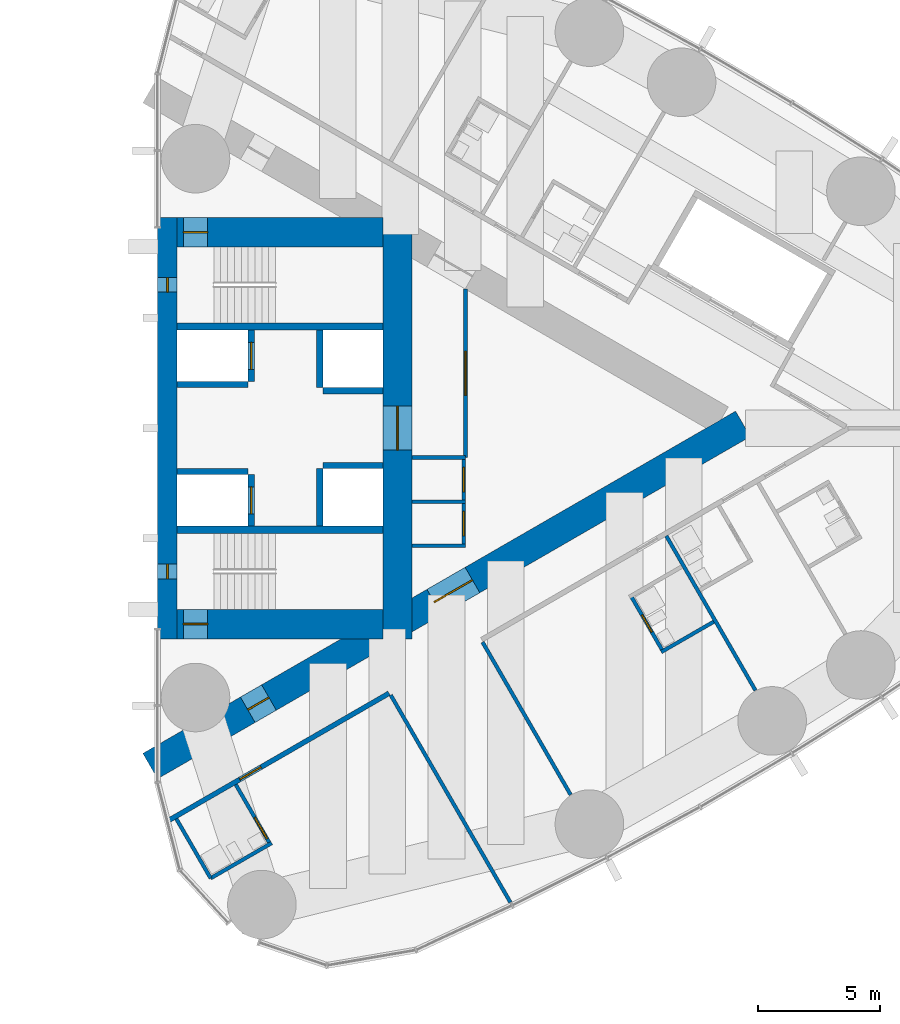
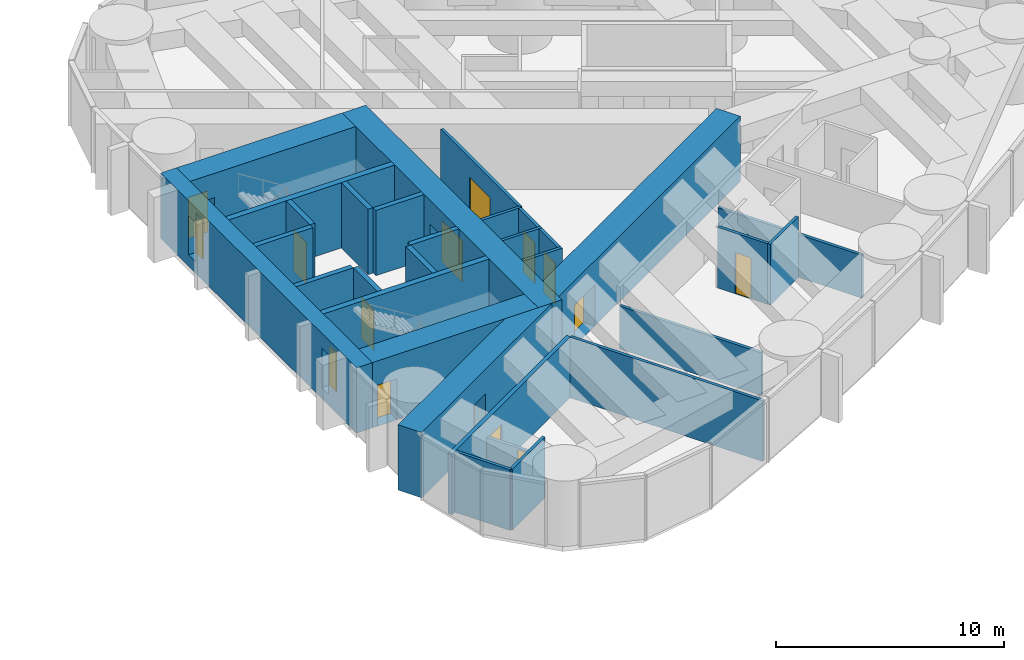
# One storey, part 14 of 18: 30 walls, 13 doors, 2 windows, 15 openings.
"""IFC4 building model written with IfcOpenShell, lengths in metres."""

from ifc_helpers import new_model, si_unit, direction, frame, frame_2d, origin, place, context, subcontext, project, spatial, rectangle, extrude, material, layer, layer_set, type_object, element, fill, save


model = new_model("IFC4")

# Units and contexts
model_context = context("Model", 3, precision=1e-05, world=origin(), true_north=direction((0.0, 1.0)))
body_context = subcontext(model_context, "Body", "Model", "MODEL_VIEW")
ifc_project = project(units=[si_unit("LENGTHUNIT", "METRE"), si_unit("AREAUNIT", "SQUARE_METRE"), si_unit("VOLUMEUNIT", "CUBIC_METRE"), si_unit("PLANEANGLEUNIT", "RADIAN"), si_unit("MASSUNIT", "GRAM", prefix="KILO")], contexts=[model_context])

# Site, building, storey
site_placement = place(None, origin())
site = spatial("IfcSite", under=ifc_project, at=site_placement, CompositionType="ELEMENT")
building_placement = place(site_placement, origin())
building = spatial("IfcBuilding", under=site, at=building_placement, Name="Lancet Gate Hotel", CompositionType="ELEMENT")
storey_placement = place(building_placement, frame((0.0, 0.0, 166.800048828125)))
storey = spatial("IfcBuildingStorey", under=building, at=storey_placement, Name="L44", CompositionType="ELEMENT", Elevation=166.800048828125)

# Wall
ifc_material_1 = material(Name="Moisture resistant board partition")
ifc_layer_1 = layer(ifc_material_1, 0.14990234375)
ifc_layer_set_1 = layer_set([ifc_layer_1], Name="Bathroom wall 150")
wall_type_1 = type_object("IfcWallType", Name="Bathroom wall 150", PredefinedType="PARTITIONING", material=ifc_layer_set_1)
wall_1_placement = place(storey_placement, frame((29.669189453125, -18.378662109375, 0.0), z_axis=(0.0, 0.0, 1.0), x_axis=(0.866039941686, 0.499974818771, 0.0)))
element("IfcWall", 1, at=wall_1_placement, inside=storey, type_object=wall_type_1, Name="T2 bathroom wall 150 L44", PredefinedType="PARTITIONING", context=body_context, shape_type="SweptSolid", body=[
    extrude(rectangle(XDim=2.875244140625, YDim=0.14990234375, at=frame_2d((1.4375, 0.0))), origin(), (0.0, 0.0, 1.0), 3.25),
])

# Wall, opening, door
wall_2_placement = place(storey_placement, frame((30.694091796875, -14.553955078125, 0.0), z_axis=(0.0, 0.0, 1.0), x_axis=(0.500049511043, -0.865996816683, 0.0)))
wall_2 = element("IfcWall", 2, at=wall_2_placement, inside=storey, type_object=wall_type_1, Name="T2 bathroom wall 150 L44", PredefinedType="PARTITIONING", context=body_context, shape_type="SweptSolid", body=[
    extrude(rectangle(XDim=2.800048828125, YDim=0.14990234375, at=frame_2d((1.39990234375, 0.0))), origin(), (0.0, 0.0, 1.0), 2.300048828125),
])
opening_1_placement = place(wall_2_placement, frame((1.550048828125, 0.0, 0.0)))
opening_1 = element("IfcOpeningElement", 3, at=opening_1_placement, cuts=wall_2, Name="Opening 4451-B", PredefinedType="OPENING", context=body_context, shape_type="SweptSolid", body=[
    extrude(rectangle(XDim=1.0, YDim=2.199951171875, at=frame_2d((0.5, 1.10009765625))), frame((0.0, 0.0849609375, 0.0), z_axis=(0.0, -1.0, 0.0), x_axis=(1.0, 0.0, 0.0)), (0.0, 0.0, 1.0), 0.169921875),
])
ifc_material_2 = material(Name="Timber door set", Category="wood")
door_type_1 = type_object("IfcDoorType", Name="Accessible en-suite door 1000", OperationType="SINGLE_SWING_RIGHT", PredefinedType="DOOR", material=ifc_material_2)
door_1_placement = place(opening_1_placement, origin())
door_1 = element("IfcDoor", 4, at=door_1_placement, inside=storey, type_object=door_type_1, Name="4451-B", OperationType="SINGLE_SWING_RIGHT", OverallHeight=2.199951171875, OverallWidth=1.0, PredefinedType="DOOR", context=body_context, shape_type="SweptSolid", body=[
    extrude(rectangle(XDim=1.0, YDim=2.199951171875, at=frame_2d((0.5, 1.10009765625))), frame((0.0, 0.02490234375, 0.0), z_axis=(0.0, -1.0, 0.0), x_axis=(1.0, 0.0, 0.0)), (0.0, 0.0, 1.0), 0.050048828125),
])
fill(opening_1, door_1)

# Walls
wall_3_placement = place(storey_placement, frame((28.269287109375, -15.953857421875, 0.0), z_axis=(0.0, 0.0, 1.0), x_axis=(0.49998411664, -0.866034573852, 0.0)))
element("IfcWall", 5, at=wall_3_placement, inside=storey, type_object=wall_type_1, Name="T2 bathroom wall 150 L44", PredefinedType="PARTITIONING", context=body_context, shape_type="SweptSolid", body=[
    extrude(rectangle(XDim=2.7998046875, YDim=0.14990234375, at=frame_2d((1.39990234375, 0.0))), origin(), (0.0, 0.0, 1.0), 3.25),
])
wall_4_placement = place(storey_placement, frame((48.06640625, -9.142822265625, 0.0), z_axis=(0.0, 0.0, 1.0), x_axis=(0.866006523861, 0.500032699561, 0.0)))
element("IfcWall", 6, at=wall_4_placement, inside=storey, type_object=wall_type_1, Name="T2 bathroom wall 150 L44", PredefinedType="PARTITIONING", context=body_context, shape_type="SweptSolid", body=[
    extrude(rectangle(XDim=2.474853515625, YDim=0.14990234375, at=frame_2d((1.2373046875, 0.0))), origin(), (0.0, 0.0, 1.0), 3.25),
])

# Wall, opening, door
wall_5_placement = place(storey_placement, frame((46.831298828125, -6.853759765625, 0.0), z_axis=(0.0, 0.0, 1.0), x_axis=(0.500006934395, -0.866021400173, 0.0)))
wall_5 = element("IfcWall", 7, at=wall_5_placement, inside=storey, type_object=wall_type_1, Name="T2 bathroom wall 150 L44", PredefinedType="PARTITIONING", context=body_context, shape_type="SweptSolid", body=[
    extrude(rectangle(XDim=2.60009765625, YDim=0.14990234375, at=frame_2d((1.300048828125, 0.0))), origin(), (0.0, 0.0, 1.0), 3.25),
])
opening_2_placement = place(wall_5_placement, frame((0.89990234375, 0.0, 0.0)))
opening_2 = element("IfcOpeningElement", 8, at=opening_2_placement, cuts=wall_5, Name="Opening 4454-B", PredefinedType="OPENING", context=body_context, shape_type="SweptSolid", body=[
    extrude(rectangle(XDim=0.800048828125, YDim=2.199951171875, at=frame_2d((0.39990234375, 1.10009765625))), frame((0.0, 0.0849609375, 0.0), z_axis=(0.0, -1.0, 0.0), x_axis=(1.0, 0.0, 0.0)), (0.0, 0.0, 1.0), 0.169921875),
])
ifc_material_3 = material(Name="Timber door set", Category="wood")
door_type_2 = type_object("IfcDoorType", Name="Bathroom door 800", OperationType="SINGLE_SWING_RIGHT", PredefinedType="DOOR", material=ifc_material_3)
door_2_placement = place(opening_2_placement, origin())
door_2 = element("IfcDoor", 9, at=door_2_placement, inside=storey, type_object=door_type_2, Name="4454-B", OperationType="SINGLE_SWING_RIGHT", OverallHeight=2.199951171875, OverallWidth=0.800048828125, PredefinedType="DOOR", context=body_context, shape_type="SweptSolid", body=[
    extrude(rectangle(XDim=0.800048828125, YDim=2.199951171875, at=frame_2d((0.39990234375, 1.10009765625))), frame((0.0, 0.02490234375, 0.0), z_axis=(0.0, -1.0, 0.0), x_axis=(1.0, 0.0, 0.0)), (0.0, 0.0, 1.0), 0.050048828125),
])
fill(opening_2, door_2)

# Wall, openings, doors
ifc_material_4 = material(Name="Concrete C70/85", Category="concrete")
ifc_layer_2 = layer(ifc_material_4, 1.199951171875)
ifc_layer_set_2 = layer_set([ifc_layer_2], Name="Buttress wall 1200")
wall_type_2 = type_object("IfcWallType", Name="Buttress wall 1200", PredefinedType="SHEAR", material=ifc_layer_set_2)
wall_6_placement = place(storey_placement, frame((27.199951171875, -13.800048828125, 0.0), z_axis=(0.0, 0.0, 1.0), x_axis=(0.866027159892, 0.499996958321, 0.0)))
wall_6 = element("IfcWall", 10, at=wall_6_placement, inside=storey, type_object=wall_type_2, Name="T2 buttress wall S L44", PredefinedType="SHEAR", context=body_context, shape_type="SweptSolid", body=[
    extrude(rectangle(XDim=27.946533203125, YDim=1.199951171875, at=frame_2d((13.97314453125, 0.0))), origin(), (0.0, 0.0, 1.0), 3.5),
])
opening_3_placement = place(wall_6_placement, frame((4.60009765625, 0.0, 0.0)))
opening_3 = element("IfcOpeningElement", 11, at=opening_3_placement, cuts=wall_6, Name="Opening T2-L44-LS", PredefinedType="OPENING", context=body_context, shape_type="SweptSolid", body=[
    extrude(rectangle(XDim=1.0, YDim=2.199951171875, at=frame_2d((0.5, 1.10009765625))), frame((0.0, 0.60986328125, 0.0), z_axis=(0.0, -1.0, 0.0), x_axis=(1.0, 0.0, 0.0)), (0.0, 0.0, 1.0), 1.219970703125),
])
opening_4_placement = place(wall_6_placement, frame((13.39453125, 0.0, 0.0)))
opening_4 = element("IfcOpeningElement", 12, at=opening_4_placement, cuts=wall_6, Name="Opening T2-L44-LHS", PredefinedType="OPENING", context=body_context, shape_type="SweptSolid", body=[
    extrude(rectangle(XDim=1.800048828125, YDim=2.199951171875, at=frame_2d((0.89990234375, 1.10009765625))), frame((0.0, 0.60986328125, 0.0), z_axis=(0.0, -1.0, 0.0), x_axis=(1.0, 0.0, 0.0)), (0.0, 0.0, 1.0), 1.219970703125),
])
ifc_material_5 = material(Name="Timber door set", Category="wood")
door_type_3 = type_object("IfcDoorType", Name="Lobby double door 1800", OperationType="DOUBLE_DOOR_SINGLE_SWING", PredefinedType="DOOR", material=ifc_material_5)
door_3_placement = place(opening_4_placement, origin())
door_3 = element("IfcDoor", 13, at=door_3_placement, inside=storey, type_object=door_type_3, Name="T2-L44-LHS", OperationType="DOUBLE_DOOR_SINGLE_SWING", OverallHeight=2.199951171875, OverallWidth=1.800048828125, PredefinedType="DOOR", context=body_context, shape_type="SweptSolid", body=[
    extrude(rectangle(XDim=1.800048828125, YDim=2.199951171875, at=frame_2d((0.89990234375, 1.10009765625))), frame((0.0, 0.02490234375, 0.0), z_axis=(0.0, -1.0, 0.0), x_axis=(1.0, 0.0, 0.0)), (0.0, 0.0, 1.0), 0.050048828125),
])
fill(opening_4, door_3)
ifc_material_6 = material(Name="Timber door set", Category="wood")
door_type_4 = type_object("IfcDoorType", Name="Stair lobby door 1000", OperationType="SINGLE_SWING_LEFT", PredefinedType="DOOR", material=ifc_material_6)
door_4_placement = place(opening_3_placement, origin())
door_4 = element("IfcDoor", 14, at=door_4_placement, inside=storey, type_object=door_type_4, Name="T2-L44-LS", OperationType="SINGLE_SWING_LEFT", OverallHeight=2.199951171875, OverallWidth=1.0, PredefinedType="DOOR", context=body_context, shape_type="SweptSolid", body=[
    extrude(rectangle(XDim=1.0, YDim=2.199951171875, at=frame_2d((0.5, 1.10009765625))), frame((0.0, 0.02490234375, 0.0), z_axis=(0.0, -1.0, 0.0), x_axis=(1.0, 0.0, 0.0)), (0.0, 0.0, 1.0), 0.050048828125),
])
fill(opening_3, door_4)

# Wall, opening, door
ifc_material_7 = material(Name="Concrete C70/85", Category="concrete")
ifc_layer_3 = layer(ifc_material_7, 1.199951171875)
ifc_layer_set_3 = layer_set([ifc_layer_3], Name="Core wall 1200")
wall_type_3 = type_object("IfcWallType", Name="Core wall 1200", PredefinedType="SHEAR", material=ifc_layer_set_3)
wall_7_placement = place(storey_placement, frame((37.300048828125, -8.60009765625, 0.0), z_axis=(0.0, 0.0, 1.0), x_axis=(0.0, 1.0, 0.0)))
wall_7 = element("IfcWall", 15, at=wall_7_placement, inside=storey, type_object=wall_type_3, Name="T2 core wall back L44", PredefinedType="SHEAR", context=body_context, shape_type="SweptSolid", body=[
    extrude(rectangle(XDim=17.2001953125, YDim=1.199951171875, at=frame_2d((8.60009765625, 0.0))), origin(), (0.0, 0.0, 1.0), 3.5),
])
opening_5_placement = place(wall_7_placement, frame((7.699951171875, 0.0, 0.0)))
opening_5 = element("IfcOpeningElement", 16, at=opening_5_placement, cuts=wall_7, Name="Opening T2-L44-LL", PredefinedType="OPENING", context=body_context, shape_type="SweptSolid", body=[
    extrude(rectangle(XDim=1.800048828125, YDim=2.199951171875, at=frame_2d((0.89990234375, 1.10009765625))), frame((0.0, 0.60986328125, 0.0), z_axis=(0.0, -1.0, 0.0), x_axis=(1.0, 0.0, 0.0)), (0.0, 0.0, 1.0), 1.219970703125),
])
door_5_placement = place(opening_5_placement, origin())
door_5 = element("IfcDoor", 17, at=door_5_placement, inside=storey, type_object=door_type_3, Name="T2-L44-LL", OperationType="DOUBLE_DOOR_SINGLE_SWING", OverallHeight=2.199951171875, OverallWidth=1.800048828125, PredefinedType="DOOR", context=body_context, shape_type="SweptSolid", body=[
    extrude(rectangle(XDim=1.800048828125, YDim=2.199951171875, at=frame_2d((0.89990234375, 1.10009765625))), frame((0.0, 0.02490234375, 0.0), z_axis=(0.0, -1.0, 0.0), x_axis=(1.0, 0.0, 0.0)), (0.0, 0.0, 1.0), 0.050048828125),
])
fill(opening_5, door_5)

wall_8_placement = place(storey_placement, frame((28.300048828125, -8.0, 0.0), z_axis=(0.0, 0.0, 1.0), x_axis=(1.0, 0.0, 0.0)))
wall_8 = element("IfcWall", 18, at=wall_8_placement, inside=storey, type_object=wall_type_3, Name="T2 core wall side-S L44", PredefinedType="SHEAR", context=body_context, shape_type="SweptSolid", body=[
    extrude(rectangle(XDim=8.39990234375, YDim=1.199951171875, at=frame_2d((4.199951171875, 0.0))), origin(), (0.0, 0.0, 1.0), 3.5),
])
opening_6_placement = place(wall_8_placement, frame((0.25, 0.0, 0.0)))
opening_6 = element("IfcOpeningElement", 19, at=opening_6_placement, cuts=wall_8, Name="Opening T2-L44-ST1", PredefinedType="OPENING", context=body_context, shape_type="SweptSolid", body=[
    extrude(rectangle(XDim=1.0, YDim=2.199951171875, at=frame_2d((0.5, 1.10009765625))), frame((0.0, 0.60986328125, 0.0), z_axis=(0.0, -1.0, 0.0), x_axis=(1.0, 0.0, 0.0)), (0.0, 0.0, 1.0), 1.219970703125),
])
ifc_material_8 = material(Name="Timber door set", Category="wood")
door_type_5 = type_object("IfcDoorType", Name="Stair door 1000", OperationType="SINGLE_SWING_RIGHT", PredefinedType="DOOR", material=ifc_material_8)
door_6_placement = place(opening_6_placement, origin())
door_6 = element("IfcDoor", 20, at=door_6_placement, inside=storey, type_object=door_type_5, Name="T2-L44-ST1", OperationType="SINGLE_SWING_RIGHT", OverallHeight=2.199951171875, OverallWidth=1.0, PredefinedType="DOOR", context=body_context, shape_type="SweptSolid", body=[
    extrude(rectangle(XDim=1.0, YDim=2.199951171875, at=frame_2d((0.5, 1.10009765625))), frame((0.0, 0.02490234375, 0.0), z_axis=(0.0, -1.0, 0.0), x_axis=(1.0, 0.0, 0.0)), (0.0, 0.0, 1.0), 0.050048828125),
])
fill(opening_6, door_6)

wall_9_placement = place(storey_placement, frame((28.300048828125, 8.0, 0.0), z_axis=(0.0, 0.0, 1.0), x_axis=(1.0, 0.0, 0.0)))
wall_9 = element("IfcWall", 21, at=wall_9_placement, inside=storey, type_object=wall_type_3, Name="T2 core wall side-N L44", PredefinedType="SHEAR", context=body_context, shape_type="SweptSolid", body=[
    extrude(rectangle(XDim=8.39990234375, YDim=1.199951171875, at=frame_2d((4.199951171875, 0.0))), origin(), (0.0, 0.0, 1.0), 3.5),
])
opening_7_placement = place(wall_9_placement, frame((0.25, 0.0, 0.0)))
opening_7 = element("IfcOpeningElement", 22, at=opening_7_placement, cuts=wall_9, Name="Opening T2-L44-ST2", PredefinedType="OPENING", context=body_context, shape_type="SweptSolid", body=[
    extrude(rectangle(XDim=1.0, YDim=2.199951171875, at=frame_2d((0.5, 1.10009765625))), frame((0.0, 0.60986328125, 0.0), z_axis=(0.0, -1.0, 0.0), x_axis=(1.0, 0.0, 0.0)), (0.0, 0.0, 1.0), 1.219970703125),
])
door_7_placement = place(opening_7_placement, origin())
door_7 = element("IfcDoor", 23, at=door_7_placement, inside=storey, type_object=door_type_5, Name="T2-L44-ST2", OperationType="SINGLE_SWING_RIGHT", OverallHeight=2.199951171875, OverallWidth=1.0, PredefinedType="DOOR", context=body_context, shape_type="SweptSolid", body=[
    extrude(rectangle(XDim=1.0, YDim=2.199951171875, at=frame_2d((0.5, 1.10009765625))), frame((0.0, 0.02490234375, 0.0), z_axis=(0.0, -1.0, 0.0), x_axis=(1.0, 0.0, 0.0)), (0.0, 0.0, 1.0), 0.050048828125),
])
fill(opening_7, door_7)

# Wall, openings, windows
ifc_material_9 = material(Name="Concrete C70/85", Category="concrete")
ifc_layer_4 = layer(ifc_material_9, 0.800048828125)
ifc_layer_set_4 = layer_set([ifc_layer_4], Name="Core wall 800")
wall_type_4 = type_object("IfcWallType", Name="Core wall 800", PredefinedType="SHEAR", material=ifc_layer_set_4)
wall_10_placement = place(storey_placement, frame((27.89990234375, -8.60009765625, 0.0), z_axis=(0.0, 0.0, 1.0), x_axis=(0.0, 1.0, 0.0)))
wall_10 = element("IfcWall", 24, at=wall_10_placement, inside=storey, type_object=wall_type_4, Name="T2 core wall front L44", PredefinedType="SHEAR", context=body_context, shape_type="SweptSolid", body=[
    extrude(rectangle(XDim=17.2001953125, YDim=0.800048828125, at=frame_2d((8.60009765625, 0.0))), origin(), (0.0, 0.0, 1.0), 3.5),
])
opening_8_placement = place(wall_10_placement, frame((2.449951171875, 0.0, 0.60009765625)))
opening_8 = element("IfcOpeningElement", 25, at=opening_8_placement, cuts=wall_10, Name="Opening LW1", PredefinedType="OPENING", context=body_context, shape_type="SweptSolid", body=[
    extrude(rectangle(XDim=0.60009765625, YDim=2.10009765625, at=frame_2d((0.300048828125, 1.050048828125))), frame((0.0, 0.409912109375, 0.0), z_axis=(0.0, -1.0, 0.0), x_axis=(1.0, 0.0, 0.0)), (0.0, 0.0, 1.0), 0.820068359375),
])
opening_9_placement = place(wall_10_placement, frame((14.14990234375, 0.0, 0.60009765625)))
opening_9 = element("IfcOpeningElement", 26, at=opening_9_placement, cuts=wall_10, Name="Opening LW1", PredefinedType="OPENING", context=body_context, shape_type="SweptSolid", body=[
    extrude(rectangle(XDim=0.60009765625, YDim=2.10009765625, at=frame_2d((0.300048828125, 1.050048828125))), frame((0.0, 0.409912109375, 0.0), z_axis=(0.0, -1.0, 0.0), x_axis=(1.0, 0.0, 0.0)), (0.0, 0.0, 1.0), 0.820068359375),
])
ifc_material_10 = material(Name="Fire-resisting glazed steel window", Category="steel")
window_type = type_object("IfcWindowType", Name="Lancet window 600x2100", PartitioningType="SINGLE_PANEL", PredefinedType="WINDOW", material=ifc_material_10)
window_1_placement = place(opening_8_placement, origin())
window_1 = element("IfcWindow", 27, at=window_1_placement, inside=storey, type_object=window_type, Name="T2 stair window S L44", OverallHeight=2.10009765625, OverallWidth=0.60009765625, PartitioningType="SINGLE_PANEL", PredefinedType="WINDOW", context=body_context, shape_type="SweptSolid", body=[
    extrude(rectangle(XDim=0.60009765625, YDim=2.10009765625, at=frame_2d((0.300048828125, 1.050048828125))), frame((0.0, 0.030029296875, 0.0), z_axis=(0.0, -1.0, 0.0), x_axis=(1.0, 0.0, 0.0)), (0.0, 0.0, 1.0), 0.06005859375),
])
fill(opening_8, window_1)
window_2_placement = place(opening_9_placement, origin())
window_2 = element("IfcWindow", 28, at=window_2_placement, inside=storey, type_object=window_type, Name="T2 stair window N L44", OverallHeight=2.10009765625, OverallWidth=0.60009765625, PartitioningType="SINGLE_PANEL", PredefinedType="WINDOW", context=body_context, shape_type="SweptSolid", body=[
    extrude(rectangle(XDim=0.60009765625, YDim=2.10009765625, at=frame_2d((0.300048828125, 1.050048828125))), frame((0.0, 0.030029296875, 0.0), z_axis=(0.0, -1.0, 0.0), x_axis=(1.0, 0.0, 0.0)), (0.0, 0.0, 1.0), 0.06005859375),
])
fill(opening_9, window_2)

# Wall, opening, door
ifc_material_11 = material(Name="Gypsum board partition")
ifc_layer_5 = layer(ifc_material_11, 0.199951171875)
ifc_layer_set_5 = layer_set([ifc_layer_5], Name="Corridor wall 200")
wall_type_5 = type_object("IfcWallType", Name="Corridor wall 200", PredefinedType="PARTITIONING", material=ifc_layer_set_5)
wall_11_placement = place(storey_placement, frame((27.95947265625, -16.017333984375, 0.0), z_axis=(0.0, 0.0, 1.0), x_axis=(0.866026201739, 0.499998617899, 0.0)))
wall_11 = element("IfcWall", 29, at=wall_11_placement, inside=storey, type_object=wall_type_5, Name="T2 corridor wall 200 L44", PredefinedType="PARTITIONING", context=body_context, shape_type="SweptSolid", body=[
    extrude(rectangle(XDim=10.3818359375, YDim=0.199951171875, at=frame_2d((5.19091796875, 0.0))), origin(), (0.0, 0.0, 1.0), 3.25),
])
opening_10_placement = place(wall_11_placement, frame((3.35009765625, 0.0, 0.0)))
opening_10 = element("IfcOpeningElement", 30, at=opening_10_placement, cuts=wall_11, Name="Opening 4451-E", PredefinedType="OPENING", context=body_context, shape_type="SweptSolid", body=[
    extrude(rectangle(XDim=1.0, YDim=2.199951171875, at=frame_2d((0.5, 1.10009765625))), frame((0.0, 0.10986328125, 0.0), z_axis=(0.0, -1.0, 0.0), x_axis=(1.0, 0.0, 0.0)), (0.0, 0.0, 1.0), 0.219970703125),
])
ifc_material_12 = material(Name="Timber door set", Category="wood")
door_type_6 = type_object("IfcDoorType", Name="Accessible guest room door 1000", OperationType="SINGLE_SWING_LEFT", PredefinedType="DOOR", material=ifc_material_12)
door_8_placement = place(opening_10_placement, origin())
door_8 = element("IfcDoor", 31, at=door_8_placement, inside=storey, type_object=door_type_6, Name="4451-E", OperationType="SINGLE_SWING_LEFT", OverallHeight=2.199951171875, OverallWidth=1.0, PredefinedType="DOOR", context=body_context, shape_type="SweptSolid", body=[
    extrude(rectangle(XDim=1.0, YDim=2.199951171875, at=frame_2d((0.5, 1.10009765625))), frame((0.0, 0.02490234375, 0.0), z_axis=(0.0, -1.0, 0.0), x_axis=(1.0, 0.0, 0.0)), (0.0, 0.0, 1.0), 0.050048828125),
])
fill(opening_10, door_8)

ifc_material_13 = material(Name="Concrete C50/60", Category="concrete")
ifc_layer_6 = layer(ifc_material_13, 0.25)
ifc_layer_set_6 = layer_set([ifc_layer_6], Name="Lift shaft wall 250")
wall_type_6 = type_object("IfcWallType", Name="Lift shaft wall 250", PredefinedType="SHEAR", material=ifc_layer_set_6)
wall_12_placement = place(storey_placement, frame((31.324951171875, -4.0, 0.0), z_axis=(0.0, 0.0, 1.0), x_axis=(0.0, 1.0, 0.0)))
wall_12 = element("IfcWall", 32, at=wall_12_placement, inside=storey, type_object=wall_type_6, Name="T2 core wall row1-S L44", PredefinedType="SHEAR", context=body_context, shape_type="SweptSolid", body=[
    extrude(rectangle(XDim=2.10009765625, YDim=0.25, at=frame_2d((1.050048828125, 0.0))), origin(), (0.0, 0.0, 1.0), 3.5),
])
opening_11_placement = place(wall_12_placement, frame((0.5, 0.0, 0.0)))
opening_11 = element("IfcOpeningElement", 33, at=opening_11_placement, cuts=wall_12, Name="Opening T2-SL1-L44", PredefinedType="OPENING", context=body_context, shape_type="SweptSolid", body=[
    extrude(rectangle(XDim=1.10009765625, YDim=2.199951171875, at=frame_2d((0.550048828125, 1.10009765625))), frame((0.0, 0.135009765625, 0.0), z_axis=(0.0, -1.0, 0.0), x_axis=(1.0, 0.0, 0.0)), (0.0, 0.0, 1.0), 0.27001953125),
])
ifc_material_14 = material(Name="Timber door set", Category="wood")
door_type_7 = type_object("IfcDoorType", Name="Service lift landing door 1100", OperationType="SLIDING_TO_LEFT", PredefinedType="USERDEFINED", material=ifc_material_14)
door_9_placement = place(opening_11_placement, origin())
door_9 = element("IfcDoor", 34, at=door_9_placement, inside=storey, type_object=door_type_7, Name="T2-SL1-L44", ObjectType="LIFT LANDING DOOR", OperationType="SLIDING_TO_LEFT", OverallHeight=2.199951171875, OverallWidth=1.10009765625, PredefinedType="USERDEFINED", context=body_context, shape_type="SweptSolid", body=[
    extrude(rectangle(XDim=1.10009765625, YDim=2.199951171875, at=frame_2d((0.550048828125, 1.10009765625))), frame((0.0, 0.02490234375, 0.0), z_axis=(0.0, -1.0, 0.0), x_axis=(1.0, 0.0, 0.0)), (0.0, 0.0, 1.0), 0.050048828125),
])
fill(opening_11, door_9)

# Walls
wall_13_placement = place(storey_placement, frame((34.125, -4.0, 0.0), z_axis=(0.0, 0.0, 1.0), x_axis=(0.0, 1.0, 0.0)))
element("IfcWall", 35, at=wall_13_placement, inside=storey, type_object=wall_type_6, Name="T2 core wall row2-S L44", PredefinedType="SHEAR", context=body_context, shape_type="SweptSolid", body=[
    extrude(rectangle(XDim=2.35009765625, YDim=0.25, at=frame_2d((1.175048828125, 0.0))), origin(), (0.0, 0.0, 1.0), 3.5),
])
wall_14_placement = place(storey_placement, frame((28.300048828125, -1.77490234375, 0.0), z_axis=(0.0, 0.0, 1.0), x_axis=(1.0, 0.0, 0.0)))
element("IfcWall", 36, at=wall_14_placement, inside=storey, type_object=wall_type_6, Name="T2 core wall pass1-S L44", PredefinedType="SHEAR", context=body_context, shape_type="SweptSolid", body=[
    extrude(rectangle(XDim=2.89990234375, YDim=0.25, at=frame_2d((1.449951171875, 0.0))), origin(), (0.0, 0.0, 1.0), 3.5),
])
wall_15_placement = place(storey_placement, frame((34.25, -1.52490234375, 0.0), z_axis=(0.0, 0.0, 1.0), x_axis=(1.0, 0.0, 0.0)))
element("IfcWall", 37, at=wall_15_placement, inside=storey, type_object=wall_type_6, Name="T2 core wall pass2-S L44", PredefinedType="SHEAR", context=body_context, shape_type="SweptSolid", body=[
    extrude(rectangle(XDim=2.449951171875, YDim=0.25, at=frame_2d((1.22509765625, 0.0))), origin(), (0.0, 0.0, 1.0), 3.5),
])

# Wall, opening, door
wall_16_placement = place(storey_placement, frame((31.324951171875, 1.89990234375, 0.0), z_axis=(0.0, 0.0, 1.0), x_axis=(0.0, 1.0, 0.0)))
wall_16 = element("IfcWall", 38, at=wall_16_placement, inside=storey, type_object=wall_type_6, Name="T2 core wall row1-N L44", PredefinedType="SHEAR", context=body_context, shape_type="SweptSolid", body=[
    extrude(rectangle(XDim=2.10009765625, YDim=0.25, at=frame_2d((1.050048828125, 0.0))), origin(), (0.0, 0.0, 1.0), 3.5),
])
opening_12_placement = place(wall_16_placement, frame((0.5, 0.0, 0.0)))
opening_12 = element("IfcOpeningElement", 39, at=opening_12_placement, cuts=wall_16, Name="Opening T2-FL2-L44", PredefinedType="OPENING", context=body_context, shape_type="SweptSolid", body=[
    extrude(rectangle(XDim=1.10009765625, YDim=2.199951171875, at=frame_2d((0.550048828125, 1.10009765625))), frame((0.0, 0.135009765625, 0.0), z_axis=(0.0, -1.0, 0.0), x_axis=(1.0, 0.0, 0.0)), (0.0, 0.0, 1.0), 0.27001953125),
])
ifc_material_15 = material(Name="Steel door set", Category="steel")
door_type_8 = type_object("IfcDoorType", Name="Firefighting lift landing door 1100", OperationType="SLIDING_TO_LEFT", PredefinedType="USERDEFINED", material=ifc_material_15)
door_10_placement = place(opening_12_placement, origin())
door_10 = element("IfcDoor", 40, at=door_10_placement, inside=storey, type_object=door_type_8, Name="T2-FL2-L44", ObjectType="LIFT LANDING DOOR", OperationType="SLIDING_TO_LEFT", OverallHeight=2.199951171875, OverallWidth=1.10009765625, PredefinedType="USERDEFINED", context=body_context, shape_type="SweptSolid", body=[
    extrude(rectangle(XDim=1.10009765625, YDim=2.199951171875, at=frame_2d((0.550048828125, 1.10009765625))), frame((0.0, 0.02490234375, 0.0), z_axis=(0.0, -1.0, 0.0), x_axis=(1.0, 0.0, 0.0)), (0.0, 0.0, 1.0), 0.050048828125),
])
fill(opening_12, door_10)

# Walls
wall_17_placement = place(storey_placement, frame((34.125, 1.64990234375, 0.0), z_axis=(0.0, 0.0, 1.0), x_axis=(0.0, 1.0, 0.0)))
element("IfcWall", 41, at=wall_17_placement, inside=storey, type_object=wall_type_6, Name="T2 core wall row2-N L44", PredefinedType="SHEAR", context=body_context, shape_type="SweptSolid", body=[
    extrude(rectangle(XDim=2.35009765625, YDim=0.25, at=frame_2d((1.175048828125, 0.0))), origin(), (0.0, 0.0, 1.0), 3.5),
])
wall_18_placement = place(storey_placement, frame((28.300048828125, 1.77490234375, 0.0), z_axis=(0.0, 0.0, 1.0), x_axis=(1.0, 0.0, 0.0)))
element("IfcWall", 42, at=wall_18_placement, inside=storey, type_object=wall_type_6, Name="T2 core wall pass1-N L44", PredefinedType="SHEAR", context=body_context, shape_type="SweptSolid", body=[
    extrude(rectangle(XDim=2.89990234375, YDim=0.25, at=frame_2d((1.449951171875, 0.0))), origin(), (0.0, 0.0, 1.0), 3.5),
])
wall_19_placement = place(storey_placement, frame((34.25, 1.52490234375, 0.0), z_axis=(0.0, 0.0, 1.0), x_axis=(1.0, 0.0, 0.0)))
element("IfcWall", 43, at=wall_19_placement, inside=storey, type_object=wall_type_6, Name="T2 core wall pass2-N L44", PredefinedType="SHEAR", context=body_context, shape_type="SweptSolid", body=[
    extrude(rectangle(XDim=2.449951171875, YDim=0.25, at=frame_2d((1.22509765625, 0.0))), origin(), (0.0, 0.0, 1.0), 3.5),
])
ifc_material_16 = material(Name="Gypsum board partition")
ifc_layer_7 = layer(ifc_material_16, 0.14990234375)
ifc_layer_set_7 = layer_set([ifc_layer_7], Name="Party wall 150")
wall_type_7 = type_object("IfcWallType", Name="Party wall 150", PredefinedType="PARTITIONING", material=ifc_layer_set_7)
wall_20_placement = place(storey_placement, frame((37.022216796875, -10.900390625, 0.0), z_axis=(0.0, 0.0, 1.0), x_axis=(0.499998620953, -0.866026199976, 0.0)))
element("IfcWall", 44, at=wall_20_placement, inside=storey, type_object=wall_type_7, Name="T2 party wall 150 L44", PredefinedType="PARTITIONING", context=body_context, shape_type="SweptSolid", body=[
    extrude(rectangle(XDim=9.76953125, YDim=0.14990234375, at=frame_2d((4.884765625, 0.0))), origin(), (0.0, 0.0, 1.0), 3.25),
])
wall_21_placement = place(storey_placement, frame((40.769287109375, -8.737060546875, 0.0), z_axis=(0.0, 0.0, 1.0), x_axis=(0.500013115284, -0.866017831539, 0.0)))
element("IfcWall", 45, at=wall_21_placement, inside=storey, type_object=wall_type_7, Name="T2 party wall 150 L44", PredefinedType="PARTITIONING", context=body_context, shape_type="SweptSolid", body=[
    extrude(rectangle(XDim=7.197998046875, YDim=0.14990234375, at=frame_2d((3.59912109375, 0.0))), origin(), (0.0, 0.0, 1.0), 2.300048828125),
])
wall_22_placement = place(storey_placement, frame((48.274658203125, -4.40380859375, 0.0), z_axis=(0.0, 0.0, 1.0), x_axis=(0.500006004368, -0.866021937133, 0.0)))
element("IfcWall", 46, at=wall_22_placement, inside=storey, type_object=wall_type_7, Name="T2 party wall 150 L44", PredefinedType="PARTITIONING", context=body_context, shape_type="SweptSolid", body=[
    extrude(rectangle(XDim=7.279296875, YDim=0.14990234375, at=frame_2d((3.6396484375, 0.0))), origin(), (0.0, 0.0, 1.0), 2.300048828125),
])
ifc_material_17 = material(Name="Gypsum board partition")
ifc_layer_8 = layer(ifc_material_17, 0.14990234375)
ifc_layer_set_8 = layer_set([ifc_layer_8], Name="Service room wall 150")
wall_type_8 = type_object("IfcWallType", Name="Service room wall 150", PredefinedType="PARTITIONING", material=ifc_layer_set_8)
for number, where, z_axis, x_axis, name in (
    (47, (37.89990234375, -1.199951171875, 0.0), (0.0, 0.0, 1.0), (1.0, 0.0, 0.0), "T2 service room wall 150 L44"),
    (48, (37.89990234375, -3.0, 0.0), (0.0, 0.0, 1.0), (1.0, 0.0, 0.0), "T2 service room wall 150 L44"),
    (49, (37.89990234375, -4.800048828125, 0.0), (0.0, 0.0, 1.0), (1.0, 0.0, 0.0), "T2 service room wall 150 L44"),
):
    element("IfcWall", number, at=place(storey_placement, frame(where, z_axis=z_axis, x_axis=x_axis)), inside=storey, type_object=wall_type_8, Name=name, PredefinedType="PARTITIONING", context=body_context, shape_type="SweptSolid", body=[
        extrude(rectangle(XDim=2.175048828125, YDim=0.14990234375, at=frame_2d((1.08740234375, 0.0))), origin(), (0.0, 0.0, 1.0), 3.25),
    ])

# Wall, opening, door
wall_23_placement = place(storey_placement, frame((40.0, -3.074951171875, 0.0), z_axis=(0.0, 0.0, 1.0), x_axis=(0.0, 1.0, 0.0)))
wall_23 = element("IfcWall", 50, at=wall_23_placement, inside=storey, type_object=wall_type_8, Name="T2 service room wall 150 L44", PredefinedType="PARTITIONING", context=body_context, shape_type="SweptSolid", body=[
    extrude(rectangle(XDim=1.949951171875, YDim=0.14990234375, at=frame_2d((0.97509765625, 0.0))), origin(), (0.0, 0.0, 1.0), 3.25),
])
opening_13_placement = place(wall_23_placement, frame((0.47509765625, 0.0, 0.0)))
opening_13 = element("IfcOpeningElement", 51, at=opening_13_placement, cuts=wall_23, Name="Opening T2-L44-HRS0", PredefinedType="OPENING", context=body_context, shape_type="SweptSolid", body=[
    extrude(rectangle(XDim=1.0, YDim=2.199951171875, at=frame_2d((0.5, 1.10009765625))), frame((0.0, 0.0849609375, 0.0), z_axis=(0.0, -1.0, 0.0), x_axis=(1.0, 0.0, 0.0)), (0.0, 0.0, 1.0), 0.169921875),
])
ifc_material_18 = material(Name="Timber door set", Category="wood")
door_type_9 = type_object("IfcDoorType", Name="Service door 1000", OperationType="SINGLE_SWING_LEFT", PredefinedType="DOOR", material=ifc_material_18)
door_11_placement = place(opening_13_placement, origin())
door_11 = element("IfcDoor", 52, at=door_11_placement, inside=storey, type_object=door_type_9, Name="T2-L44-HRS0", OperationType="SINGLE_SWING_LEFT", OverallHeight=2.199951171875, OverallWidth=1.0, PredefinedType="DOOR", context=body_context, shape_type="SweptSolid", body=[
    extrude(rectangle(XDim=1.0, YDim=2.199951171875, at=frame_2d((0.5, 1.10009765625))), frame((0.0, 0.02490234375, 0.0), z_axis=(0.0, -1.0, 0.0), x_axis=(1.0, 0.0, 0.0)), (0.0, 0.0, 1.0), 0.050048828125),
])
fill(opening_13, door_11)

wall_24_placement = place(storey_placement, frame((40.0, -4.875, 0.0), z_axis=(0.0, 0.0, 1.0), x_axis=(0.0, 1.0, 0.0)))
wall_24 = element("IfcWall", 53, at=wall_24_placement, inside=storey, type_object=wall_type_8, Name="T2 service room wall 150 L44", PredefinedType="PARTITIONING", context=body_context, shape_type="SweptSolid", body=[
    extrude(rectangle(XDim=1.949951171875, YDim=0.14990234375, at=frame_2d((0.97509765625, 0.0))), origin(), (0.0, 0.0, 1.0), 3.25),
])
opening_14_placement = place(wall_24_placement, frame((0.47509765625, 0.0, 0.0)))
opening_14 = element("IfcOpeningElement", 54, at=opening_14_placement, cuts=wall_24, Name="Opening T2-L44-HRS1", PredefinedType="OPENING", context=body_context, shape_type="SweptSolid", body=[
    extrude(rectangle(XDim=1.0, YDim=2.199951171875, at=frame_2d((0.5, 1.10009765625))), frame((0.0, 0.0849609375, 0.0), z_axis=(0.0, -1.0, 0.0), x_axis=(1.0, 0.0, 0.0)), (0.0, 0.0, 1.0), 0.169921875),
])
door_12_placement = place(opening_14_placement, origin())
door_12 = element("IfcDoor", 55, at=door_12_placement, inside=storey, type_object=door_type_9, Name="T2-L44-HRS1", OperationType="SINGLE_SWING_LEFT", OverallHeight=2.199951171875, OverallWidth=1.0, PredefinedType="DOOR", context=body_context, shape_type="SweptSolid", body=[
    extrude(rectangle(XDim=1.0, YDim=2.199951171875, at=frame_2d((0.5, 1.10009765625))), frame((0.0, 0.02490234375, 0.0), z_axis=(0.0, -1.0, 0.0), x_axis=(1.0, 0.0, 0.0)), (0.0, 0.0, 1.0), 0.050048828125),
])
fill(opening_14, door_12)

wall_25_placement = place(storey_placement, frame((40.074951171875, -1.199951171875, 0.0), z_axis=(0.0, 0.0, 1.0), x_axis=(0.0, 1.0, 0.0)))
wall_25 = element("IfcWall", 56, at=wall_25_placement, inside=storey, type_object=wall_type_8, Name="T2 service room wall 150 L44", PredefinedType="PARTITIONING", context=body_context, shape_type="SweptSolid", body=[
    extrude(rectangle(XDim=6.873779296875, YDim=0.14990234375, at=frame_2d((3.43701171875, 0.0))), origin(), (0.0, 0.0, 1.0), 3.25),
])
opening_15_placement = place(wall_25_placement, frame((2.536865234375, 0.0, 0.0)))
opening_15 = element("IfcOpeningElement", 57, at=opening_15_placement, cuts=wall_25, Name="Opening T2-L44-LH", PredefinedType="OPENING", context=body_context, shape_type="SweptSolid", body=[
    extrude(rectangle(XDim=1.800048828125, YDim=2.199951171875, at=frame_2d((0.89990234375, 1.10009765625))), frame((0.0, 0.0849609375, 0.0), z_axis=(0.0, -1.0, 0.0), x_axis=(1.0, 0.0, 0.0)), (0.0, 0.0, 1.0), 0.169921875),
])
door_13_placement = place(opening_15_placement, origin())
door_13 = element("IfcDoor", 58, at=door_13_placement, inside=storey, type_object=door_type_3, Name="T2-L44-LH", OperationType="DOUBLE_DOOR_SINGLE_SWING", OverallHeight=2.199951171875, OverallWidth=1.800048828125, PredefinedType="DOOR", context=body_context, shape_type="SweptSolid", body=[
    extrude(rectangle(XDim=1.800048828125, YDim=2.199951171875, at=frame_2d((0.89990234375, 1.10009765625))), frame((0.0, 0.02490234375, 0.0), z_axis=(0.0, -1.0, 0.0), x_axis=(1.0, 0.0, 0.0)), (0.0, 0.0, 1.0), 0.050048828125),
])
fill(opening_15, door_13)

# Walls
ifc_material_19 = material(Name="Concrete C50/60", Category="concrete")
ifc_layer_9 = layer(ifc_material_19, 0.300048828125)
ifc_layer_set_9 = layer_set([ifc_layer_9], Name="Stair enclosure wall 300")
wall_type_9 = type_object("IfcWallType", Name="Stair enclosure wall 300", PredefinedType="SHEAR", material=ifc_layer_set_9)
for number, where, z_axis, x_axis, name in (
    (59, (28.300048828125, -4.14990234375, 0.0), (0.0, 0.0, 1.0), (1.0, 0.0, 0.0), "T2 core wall stair-S L44"),
    (60, (28.300048828125, 4.14990234375, 0.0), (0.0, 0.0, 1.0), (1.0, 0.0, 0.0), "T2 core wall stair-N L44"),
):
    element("IfcWall", number, at=place(storey_placement, frame(where, z_axis=z_axis, x_axis=x_axis)), inside=storey, type_object=wall_type_9, Name=name, PredefinedType="SHEAR", context=body_context, shape_type="SweptSolid", body=[
        extrude(rectangle(XDim=8.39990234375, YDim=0.300048828125, at=frame_2d((4.199951171875, 0.0))), origin(), (0.0, 0.0, 1.0), 3.5),
    ])

save(model, "model.ifc")
